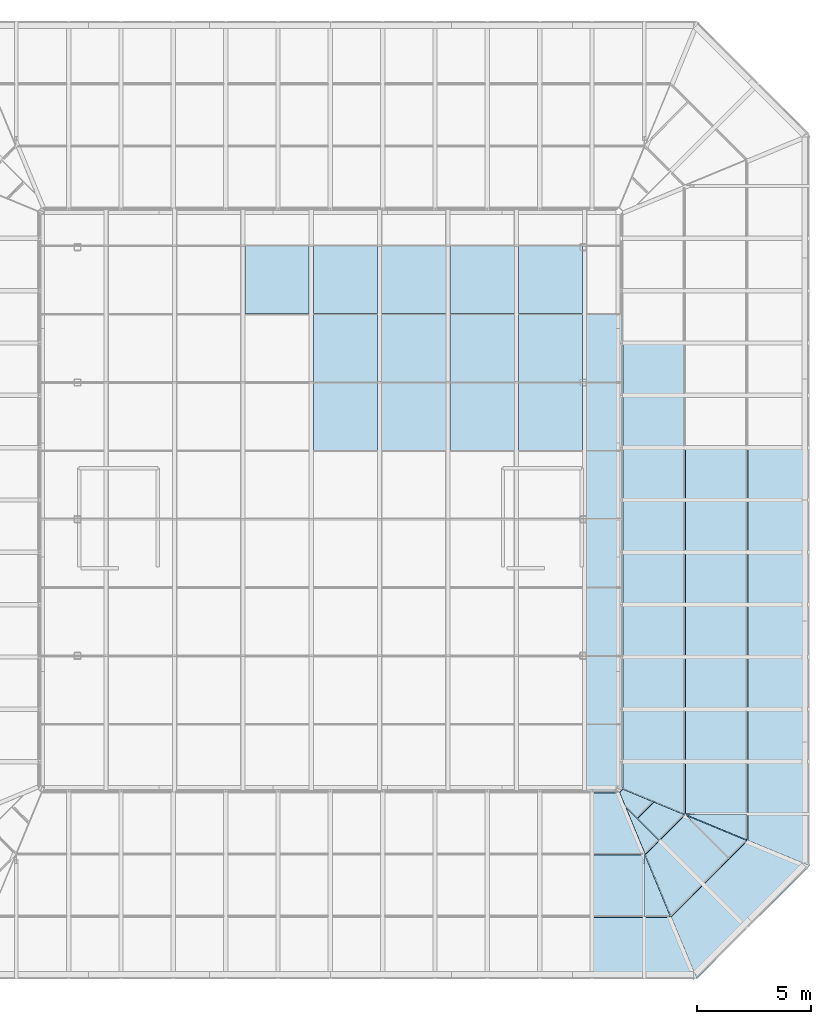
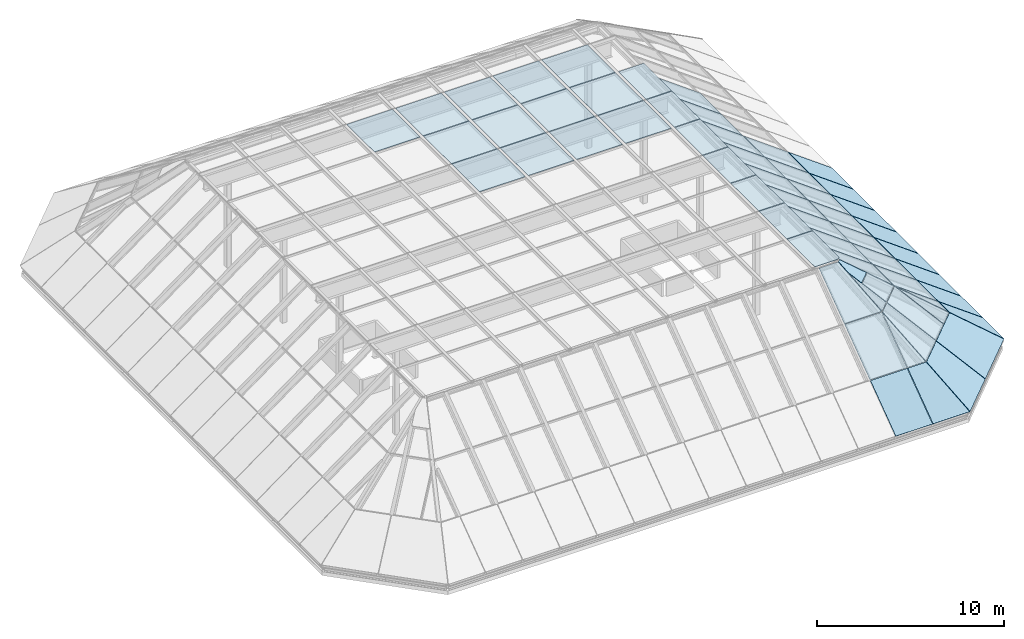
# One storey, part 13 of 15: 58 plates, 4 elements without a shape of their own.
"""IFC4 building model written with IfcOpenShell, lengths in metres."""

import ifcopenshell
import ifcopenshell.guid

model = None  # the IFC model being written
_history = None  # IfcOwnerHistory: only IFC2X3 demands one
_inside = {}  # id of a spatial element -> (the spatial element, [elements in it])
_under = {}  # id of a project, library or spatial element -> (it, [spatial elements below it])
_declared = {}  # id of a project -> (the project, [libraries it declares])
_typed = {}  # id of a type object -> (the type object, [elements of that type])
_made_of = {}  # id of a material, layer set ... -> (it, [elements and type objects made of it])


def new_model(schema):
    """Start an empty IFC model of exactly this schema.

    Asked for "IFC4X3", IfcOpenShell would pick the latest addendum, in which some entities
    have other attributes; the version numbers below select the first issue.
    IFC2X3 requires an IfcOwnerHistory on every rooted entity: one is made here for all.
    """
    global model, _history
    if schema == "IFC4X3":
        model = ifcopenshell.file(schema_version=(4, 3, 0, 0))
    else:
        model = ifcopenshell.file(schema=schema)
    _inside.clear()
    _under.clear()
    _declared.clear()
    _typed.clear()
    _made_of.clear()
    _history = None
    if model.schema == "IFC2X3":
        org = make("IfcOrganization", Name="unknown")
        user = make(
            "IfcPersonAndOrganization",
            ThePerson=make("IfcPerson", FamilyName="unknown"),
            TheOrganization=org,
        )
        app = make(
            "IfcApplication",
            ApplicationDeveloper=org,
            Version="unknown",
            ApplicationFullName="unknown",
            ApplicationIdentifier="unknown",
        )
        _history = make(
            "IfcOwnerHistory",
            OwningUser=user,
            OwningApplication=app,
            ChangeAction="ADDED",
            CreationDate=0,
        )
    return model


def make(cls, **values):
    """One entity of the class cls with the attributes given. An attribute that is None is left unset."""
    return model.create_entity(
        cls, **{name: value for name, value in values.items() if value is not None}
    )


def rooted(cls, **values):
    """An entity with a GlobalId (a new one), such as an element, a storey or a relation."""
    return make(cls, GlobalId=ifcopenshell.guid.new(), OwnerHistory=_history, **values)


def si_unit(unit_type, name, prefix=None):
    """IfcSIUnit, for example si_unit("LENGTHUNIT", "METRE", prefix="MILLI")."""
    return make("IfcSIUnit", UnitType=unit_type, Prefix=prefix, Name=name)


def assignment(units):
    """IfcUnitAssignment: the units of a project."""
    return None if units is None else make("IfcUnitAssignment", Units=units)


def point(xyz):
    """IfcCartesianPoint."""
    return None if xyz is None else make("IfcCartesianPoint", Coordinates=xyz)


def direction(xyz):
    """IfcDirection."""
    return None if xyz is None else make("IfcDirection", DirectionRatios=xyz)


def frame(location, z_axis=None, x_axis=None):
    """IfcAxis2Placement3D, a coordinate frame: its origin and axes. An axis left out is left unset."""
    return make(
        "IfcAxis2Placement3D",
        Location=point(location),
        Axis=direction(z_axis),
        RefDirection=direction(x_axis),
    )


def origin():
    """The frame at (0, 0, 0) with its axes left unset."""
    return frame((0.0, 0.0, 0.0))


def place(relative_to, where):
    """IfcLocalPlacement: puts the frame where relative to a parent placement (None: the world)."""
    return make(
        "IfcLocalPlacement", PlacementRelTo=relative_to, RelativePlacement=where
    )


def context(
    kind, dimensions, precision=None, world=None, true_north=None, identifier=None
):
    """IfcGeometricRepresentationContext, for example the 3D "Model" context."""
    return make(
        "IfcGeometricRepresentationContext",
        ContextIdentifier=identifier,
        ContextType=kind,
        CoordinateSpaceDimension=dimensions,
        Precision=precision,
        WorldCoordinateSystem=world,
        TrueNorth=true_north,
    )


def subcontext(parent, identifier, kind, view, scale=None):
    """IfcGeometricRepresentationSubContext, for example "Body" below "Model"."""
    return make(
        "IfcGeometricRepresentationSubContext",
        ContextIdentifier=identifier,
        ContextType=kind,
        ParentContext=parent,
        TargetScale=scale,
        TargetView=view,
    )


def project(units=None, contexts=None):
    """IfcProject with its units and contexts."""
    return rooted(
        "IfcProject",
        Name="project",
        RepresentationContexts=contexts,
        UnitsInContext=assignment(units),
    )


def spatial(cls, under=None, at=None, **own):
    """A site, building, storey or space (cls), placed at a placement, below another one or the project."""
    s = rooted(cls, ObjectPlacement=at, **own)
    if under is not None:
        _under.setdefault(under.id(), (under, []))[1].append(s)
    return s


def polyline(points):
    """IfcPolyline through the points."""
    return make("IfcPolyline", Points=[point(p) for p in points])


def outline(outer, holes=None, kind="AREA"):
    """IfcArbitraryClosedProfileDef: a profile drawn as a closed curve; with holes, ...WithVoids."""
    if holes is None:
        return make("IfcArbitraryClosedProfileDef", ProfileType=kind, OuterCurve=outer)
    return make(
        "IfcArbitraryProfileDefWithVoids",
        ProfileType=kind,
        OuterCurve=outer,
        InnerCurves=holes,
    )


def extrude(swept, where, along, depth):
    """IfcExtrudedAreaSolid: the profile swept, set in the frame where, extruded along a direction by depth."""
    return make(
        "IfcExtrudedAreaSolid",
        SweptArea=swept,
        Position=where,
        ExtrudedDirection=direction(along),
        Depth=depth,
    )


def shape(context_of_items, identifier, shape_type, items):
    """IfcShapeRepresentation: the items that make up one representation, for example the "Body"."""
    return make(
        "IfcShapeRepresentation",
        ContextOfItems=context_of_items,
        RepresentationIdentifier=identifier,
        RepresentationType=shape_type,
        Items=items,
    )


def material(Name=None, Category=None):
    """IfcMaterial."""
    return make("IfcMaterial", Name=Name, Category=Category)


def layer(
    of_material, thickness, ventilated=None, Name=None, Category=None, Priority=None
):
    """IfcMaterialLayer: one layer of a wall or slab, of a material (None: an air gap)."""
    return make(
        "IfcMaterialLayer",
        Material=of_material,
        LayerThickness=thickness,
        IsVentilated=ventilated,
        Name=Name,
        Category=Category,
        Priority=Priority,
    )


def layer_set(layers, Name=None):
    """IfcMaterialLayerSet."""
    return make("IfcMaterialLayerSet", MaterialLayers=layers, LayerSetName=Name)


def constituent(of_material, Name=None, Category=None, fraction=None):
    """IfcMaterialConstituent: one of the materials an element consists of."""
    return make(
        "IfcMaterialConstituent",
        Name=Name,
        Material=of_material,
        Fraction=fraction,
        Category=Category,
    )


def constituent_set(constituents=None, Name=None):
    """IfcMaterialConstituentSet."""
    return make(
        "IfcMaterialConstituentSet", Name=Name, MaterialConstituents=constituents
    )


def made_of(thing, what):
    """Note that an element or type object is made of a material, layer set ...; save() writes the relation."""
    if what is not None:
        _made_of.setdefault(what.id(), (what, []))[1].append(thing)
    return thing


def type_object(cls, material=None, **own):
    """A type object (cls), such as IfcWallType, which elements share."""
    return made_of(rooted(cls, **own), material)


def element(
    cls,
    number,
    at=None,
    inside=None,
    cuts=None,
    type_object=None,
    material=None,
    context=None,
    identifier="Body",
    shape_type=None,
    held_by="IfcProductDefinitionShape",
    body=None,
    shapes=None,
    **own,
):
    """One element of the class cls, such as IfcWall. Its Tag is "e" and its number.

    at: its placement. inside: the storey or other place that contains it. cuts: it is an
    opening in that element (IfcRelVoidsElement). A single representation is given by context,
    identifier, shape_type and body (its items); several are given by shapes. held_by: the class
    of the entity that holds the representations. save() writes the other relations.
    """
    e = rooted(cls, Tag="e%d" % number, ObjectPlacement=at, **own)
    if body is not None:
        shapes = [shape(context, identifier, shape_type, body)]
    if shapes is not None:
        e.Representation = make(held_by, Representations=shapes)
    if inside is not None:
        _inside.setdefault(inside.id(), (inside, []))[1].append(e)
    if cuts is not None:
        rooted(
            "IfcRelVoidsElement", RelatingBuildingElement=cuts, RelatedOpeningElement=e
        )
    if type_object is not None:
        _typed.setdefault(type_object.id(), (type_object, []))[1].append(e)
    return made_of(e, material)


def aggregate(whole, parts):
    """IfcRelAggregates: a whole, such as a stair, and the parts it consists of."""
    return rooted("IfcRelAggregates", RelatingObject=whole, RelatedObjects=parts)


def save(model, path):
    """Write the relations noted so far, then the file.

    IfcRelAggregates (storeys below a building ...), IfcRelContainedInSpatialStructure (elements
    in a storey), IfcRelDefinesByType, IfcRelAssociatesMaterial and IfcRelDeclares: one each for
    every whole, place, type object, material and project.
    """
    for whole, parts in _under.values():
        aggregate(whole, parts)
    for where, things in _inside.values():
        rooted(
            "IfcRelContainedInSpatialStructure",
            RelatedElements=things,
            RelatingStructure=where,
        )
    for kind, things in _typed.values():
        rooted("IfcRelDefinesByType", RelatedObjects=things, RelatingType=kind)
    for what, things in _made_of.values():
        rooted("IfcRelAssociatesMaterial", RelatedObjects=things, RelatingMaterial=what)
    for by, libraries in _declared.values():
        rooted("IfcRelDeclares", RelatingContext=by, RelatedDefinitions=libraries)
    model.write(path)


model = new_model("IFC4")

# Units and contexts
model_context = context("Model", 3, precision=1e-05, world=origin(), true_north=direction((0.0, 1.0)))
body_context = subcontext(model_context, "Body", "Model", "MODEL_VIEW")
ifc_project = project(units=[si_unit("LENGTHUNIT", "METRE"), si_unit("AREAUNIT", "SQUARE_METRE"), si_unit("VOLUMEUNIT", "CUBIC_METRE"), si_unit("PLANEANGLEUNIT", "RADIAN"), si_unit("MASSUNIT", "GRAM", prefix="KILO")], contexts=[model_context])

# Site, building, storey
site_placement = place(None, origin())
site = spatial("IfcSite", under=ifc_project, at=site_placement, CompositionType="ELEMENT")
building_placement = place(site_placement, origin())
building = spatial("IfcBuilding", under=site, at=building_placement, Name="Quoin Convention Tower", CompositionType="ELEMENT")
storey_placement = place(building_placement, frame((0.0, 0.0, 273.699951171875)))
storey = spatial("IfcBuildingStorey", under=building, at=storey_placement, Name="Roof", CompositionType="ELEMENT", Elevation=273.699951171875)

# Curtain wall, plates
ifc_material_1 = material(Name="Aluminium", Category="aluminium")
ifc_constituent_1 = constituent(ifc_material_1, Name="Frame")
ifc_material_2 = material(Name="Insulated glass", Category="glass")
ifc_constituent_2 = constituent(ifc_material_2, Name="Glazing")
ifc_constituent_set = constituent_set(constituents=[ifc_constituent_1, ifc_constituent_2], Name="Aluminium")
curtain_wall_type = type_object("IfcCurtainWallType", Name="Lantern roof system", PredefinedType="NOTDEFINED", material=ifc_constituent_set)
curtain_wall_1_placement = place(storey_placement, origin())
curtain_wall_1 = element("IfcCurtainWall", 1, at=curtain_wall_1_placement, inside=storey, type_object=curtain_wall_type, Name="crn-LNR-F72327_39710", PredefinedType="NOTDEFINED")
ifc_layer = layer(ifc_material_2, 0.028076171875)
ifc_layer_set = layer_set([ifc_layer], Name="Insulated glass")
plate_type = type_object("IfcPlateType", Name="Lantern roof glazing unit 28", PredefinedType="CURTAIN_PANEL", material=ifc_layer_set)
plate_1_placement = place(storey_placement, frame((72.619873046875, 43.85107421875, 2.466552734375), z_axis=(0.417537444623, -0.417537444623, 0.807047064721), x_axis=(0.570632086924, -0.570704815969, -0.590487116204)))
plate_1 = element("IfcPlate", 2, at=plate_1_placement, type_object=plate_type, Name="CW6 glazing unit", PredefinedType="CURTAIN_PANEL", context=body_context, shape_type="SweptSolid", body=[
    extrude(outline(polyline([(0.0, 0.0), (3.356851792327199, -5.2753211954997825e-17), (3.357011934723851, -3.1139629155703807), (0.00010245278065001973, -1.9921904892827473), (0.0, 0.0)])), origin(), (0.0, 0.0, -1.0), 0.028076171875),
])
plate_2_placement = place(storey_placement, frame((72.64111328125, 43.872314453125, 2.466552734375), z_axis=(0.417537444623, -0.417537444623, 0.807047064721), x_axis=(0.707106781187, 0.707106781187, 0.0)))
plate_2 = element("IfcPlate", 3, at=plate_2_placement, type_object=plate_type, Name="CW6 glazing unit", PredefinedType="CURTAIN_PANEL", context=body_context, shape_type="SweptSolid", body=[
    extrude(outline(polyline([(0.0, 0.0), (2.710345816559765, 0.0), (3.832290877822307, -3.356851787888171), (-0.0001726334915006511, -3.356851787888171), (0.0, 0.0)])), origin(), (0.0, 0.0, -1.0), 0.028076171875),
])
plate_3_placement = place(storey_placement, frame((70.68701171875, 45.78369140625, 4.466552734375), z_axis=(0.417537444623, -0.417537444623, 0.807047064721), x_axis=(0.570704815969, -0.570632086924, -0.590487116204)))
plate_3 = element("IfcPlate", 4, at=plate_3_placement, type_object=plate_type, Name="CW6 glazing unit", PredefinedType="CURTAIN_PANEL", context=body_context, shape_type="SweptSolid", body=[
    extrude(outline(polyline([(0.0, 0.0), (3.356851792327199, -1.6929139297003348e-16), (3.356749854473869, -1.9821777467889525), (-4.42127250985247e-05, -0.8597147865362291), (0.0, 0.0)])), origin(), (0.0, 0.0, -1.0), 0.028076171875),
])
plate_4_placement = place(storey_placement, frame((73.73681640625, 45.002197265625, 2.484375), z_axis=(0.417523210774, -0.417569006893, 0.80703809882), x_axis=(-0.707170814424, -0.707042741667, 2.6136976e-05)))
plate_4 = element("IfcPlate", 5, at=plate_4_placement, type_object=plate_type, Name="CW6 glazing unit", PredefinedType="CURTAIN_PANEL", context=body_context, shape_type="SweptSolid", body=[
    extrude(outline(polyline([(0.0, 0.0), (1.5738995506534303, -1.1102230246251565e-16), (1.5741966856522538, -3.3567124525452634), (0.00012451714197131268, -3.356851789630812), (0.0, 0.0)])), origin(), (0.0, 0.0, -1.0), 0.028076171875),
])
plate_5_placement = place(storey_placement, frame((74.533447265625, 45.798828125, 2.484375), z_axis=(0.417563792954, -0.417563792954, 0.807019800022), x_axis=(-0.707106781187, -0.707106781187, 0.0)))
plate_5 = element("IfcPlate", 6, at=plate_5_placement, type_object=plate_type, Name="CW6 glazing unit", PredefinedType="CURTAIN_PANEL", context=body_context, shape_type="SweptSolid", body=[
    extrude(outline(polyline([(0.0, 0.0), (1.0965679380119506, 0.0), (1.0965679380119506, -3.279741948853893), (0.0, 0.0)])), origin(), (0.0, 0.0, -1.0), 0.028076171875),
])
plate_6_placement = place(storey_placement, frame((70.669921875, 45.80078125, 4.484375), z_axis=(0.417542917757, -0.417542917757, 0.807041401455), x_axis=(-0.707106781187, -0.707106781187, 0.0)))
plate_6 = element("IfcPlate", 7, at=plate_6_placement, type_object=plate_type, Name="CW6 glazing unit", PredefinedType="CURTAIN_PANEL", context=body_context, shape_type="SweptSolid", body=[
    extrude(outline(polyline([(0.0, 0.0), (0.8497020451660613, 0.0), (-0.0001726334915006511, -2.542309530573094), (0.0, 0.0)])), origin(), (0.0, 0.0, -1.0), 0.028076171875),
])
plate_7_placement = place(storey_placement, frame((71.800048828125, 46.930908203125, 4.484375), z_axis=(0.417542378551, -0.417486512565, 0.807070860544), x_axis=(-0.707090287471, -0.707123273799, 3.1881896e-05)))
plate_7 = element("IfcPlate", 8, at=plate_7_placement, type_object=plate_type, Name="CW6 glazing unit", PredefinedType="CURTAIN_PANEL", context=body_context, shape_type="SweptSolid", body=[
    extrude(outline(polyline([(0.0, 0.0), (1.5682026355680565, 0.0), (1.5682026380152434, -1.6633416873172657), (0.5560524741101777, -1.6634810147779184), (0.0, 0.0)])), origin(), (0.0, 0.0, -1.0), 0.028076171875),
])
plate_8_placement = place(storey_placement, frame((70.433349609375, 47.4970703125, 5.484375), z_axis=(0.417578956169, -0.417448451267, 0.807071623773), x_axis=(-0.706988900109, -0.707224642574, -7.613711e-06)))
plate_8 = element("IfcPlate", 9, at=plate_8_placement, type_object=plate_type, Name="CW6 glazing unit", PredefinedType="CURTAIN_PANEL", context=body_context, shape_type="SweptSolid", body=[
    extrude(outline(polyline([(0.0, 0.0), (1.0021374329858963, 5.551115123125783e-17), (1.0020069393110802, -0.9385983617875202), (0.7593561028419844, -1.663447276913725), (0.5559938526855857, -1.6634190033734484), (0.0, 0.0)])), origin(), (0.0, 0.0, -1.0), 0.028076171875),
])
aggregate(curtain_wall_1, [plate_1, plate_2, plate_3, plate_4, plate_5, plate_6, plate_7, plate_8])

curtain_wall_2_placement = place(storey_placement, origin())
curtain_wall_2 = element("IfcCurtainWall", 10, at=curtain_wall_2_placement, inside=storey, type_object=curtain_wall_type, Name="crn-LNR-F77290_44673", PredefinedType="NOTDEFINED")
plate_9_placement = place(storey_placement, frame((74.56884765625, 46.95458984375, 2.466552734375), z_axis=(0.590508839017, 0.0, 0.807031171048), x_axis=(0.807031171048, 0.0, -0.590508839017)))
plate_9 = element("IfcPlate", 11, at=plate_9_placement, type_object=plate_type, Name="CW6 glazing unit", PredefinedType="CURTAIN_PANEL", context=body_context, shape_type="SweptSolid", body=[
    extrude(outline(polyline([(0.0, 0.0), (3.3567283051575907, 0.0), (3.3567283051575907, -2.260986328125), (0.0, -1.138671875), (0.0, 0.0)])), origin(), (0.0, 0.0, -1.0), 0.028076171875),
])
plate_10_placement = place(storey_placement, frame((74.56884765625, 46.984619140625, 2.466552734375), z_axis=(0.590508839017, 0.0, 0.807031171048), x_axis=(0.0, 1.0, 0.0)))
plate_10 = element("IfcPlate", 12, at=plate_10_placement, type_object=plate_type, Name="CW6 glazing unit", PredefinedType="CURTAIN_PANEL", context=body_context, shape_type="SweptSolid", body=[
    extrude(outline(polyline([(0.0, 0.0), (2.2666015625, 0.0), (2.2666015625, -3.3567283051575902), (0.0, -3.3567283051575902), (0.0, 0.0)])), origin(), (0.0, 0.0, -1.0), 0.028076171875),
])
plate_11_placement = place(storey_placement, frame((74.56884765625, 49.28125, 2.466552734375), z_axis=(0.590508839017, 0.0, 0.807031171048), x_axis=(0.0, 1.0, 0.0)))
plate_11 = element("IfcPlate", 13, at=plate_11_placement, type_object=plate_type, Name="CW6 glazing unit", PredefinedType="CURTAIN_PANEL", context=body_context, shape_type="SweptSolid", body=[
    extrude(outline(polyline([(0.0, 0.0), (2.266845703125, 0.0), (2.266845703125, -3.3567283051575907), (0.0, -3.3567283051575907), (0.0, 0.0)])), origin(), (0.0, 0.0, -1.0), 0.028076171875),
])
plate_12_placement = place(storey_placement, frame((74.56884765625, 51.577880859375, 2.466552734375), z_axis=(0.590508839017, 0.0, 0.807031171048), x_axis=(0.0, 1.0, 0.0)))
plate_12 = element("IfcPlate", 14, at=plate_12_placement, type_object=plate_type, Name="CW6 glazing unit", PredefinedType="CURTAIN_PANEL", context=body_context, shape_type="SweptSolid", body=[
    extrude(outline(polyline([(0.0, 0.0), (2.266845703125, 0.0), (2.266845703125, -3.3567283051575907), (0.0, -3.3567283051575907), (0.0, 0.0)])), origin(), (0.0, 0.0, -1.0), 0.028076171875),
])
plate_13_placement = place(storey_placement, frame((74.56884765625, 53.874755859375, 2.466552734375), z_axis=(0.590508839017, 0.0, 0.807031171048), x_axis=(0.0, 1.0, 0.0)))
plate_13 = element("IfcPlate", 15, at=plate_13_placement, type_object=plate_type, Name="CW6 glazing unit", PredefinedType="CURTAIN_PANEL", context=body_context, shape_type="SweptSolid", body=[
    extrude(outline(polyline([(0.0, 0.0), (2.266845703125, 0.0), (2.266845703125, -3.3567283051575907), (0.0, -3.3567283051575907), (0.0, 0.0)])), origin(), (0.0, 0.0, -1.0), 0.028076171875),
])
plate_14_placement = place(storey_placement, frame((74.56884765625, 56.17138671875, 2.466552734375), z_axis=(0.590508839017, 0.0, 0.807031171048), x_axis=(0.0, 1.0, 0.0)))
plate_14 = element("IfcPlate", 16, at=plate_14_placement, type_object=plate_type, Name="CW6 glazing unit", PredefinedType="CURTAIN_PANEL", context=body_context, shape_type="SweptSolid", body=[
    extrude(outline(polyline([(0.0, 0.0), (2.266845703125, 0.0), (2.266845703125, -3.3567283051575907), (0.0, -3.3567283051575907), (0.0, 0.0)])), origin(), (0.0, 0.0, -1.0), 0.028076171875),
])
plate_15_placement = place(storey_placement, frame((74.56884765625, 58.46826171875, 2.466552734375), z_axis=(0.590508839017, 0.0, 0.807031171048), x_axis=(0.0, 1.0, 0.0)))
plate_15 = element("IfcPlate", 17, at=plate_15_placement, type_object=plate_type, Name="CW6 glazing unit", PredefinedType="CURTAIN_PANEL", context=body_context, shape_type="SweptSolid", body=[
    extrude(outline(polyline([(0.0, 0.0), (2.266845703125, 0.0), (2.266845703125, -3.3567283051575907), (0.0, -3.3567283051575907), (0.0, 0.0)])), origin(), (0.0, 0.0, -1.0), 0.028076171875),
])
plate_16_placement = place(storey_placement, frame((74.56884765625, 60.764892578125, 2.466552734375), z_axis=(0.590508839017, 0.0, 0.807031171048), x_axis=(0.0, 1.0, 0.0)))
plate_16 = element("IfcPlate", 18, at=plate_16_placement, type_object=plate_type, Name="CW6 glazing unit", PredefinedType="CURTAIN_PANEL", context=body_context, shape_type="SweptSolid", body=[
    extrude(outline(polyline([(0.0, 0.0), (2.266845703125, 0.0), (2.266845703125, -3.3567283051575907), (0.0, -3.3567283051575907), (0.0, 0.0)])), origin(), (0.0, 0.0, -1.0), 0.028076171875),
])
plate_17_placement = place(storey_placement, frame((71.83544921875, 46.95458984375, 4.466552734375), z_axis=(0.590474179548, 0.0, 0.807056530416), x_axis=(0.807056530416, 0.0, -0.590474179548)))
plate_17 = element("IfcPlate", 19, at=plate_17_placement, type_object=plate_type, Name="CW6 glazing unit", PredefinedType="CURTAIN_PANEL", context=body_context, shape_type="SweptSolid", body=[
    extrude(outline(polyline([(0.0, 0.0), (3.356925337347801, 0.0), (3.356925337347801, -1.12890625), (0.0, -0.006591796875), (0.0, 0.0)])), origin(), (0.0, 0.0, -1.0), 0.028076171875),
])
plate_18_placement = place(storey_placement, frame((74.544677734375, 46.984619140625, 2.484375), z_axis=(0.590474179548, 0.0, 0.807056530416), x_axis=(-0.807056530416, 0.0, 0.590474179548)))
plate_18 = element("IfcPlate", 20, at=plate_18_placement, type_object=plate_type, Name="CW6 glazing unit", PredefinedType="CURTAIN_PANEL", context=body_context, shape_type="SweptSolid", body=[
    extrude(outline(polyline([(0.0, 0.0), (3.356925337347801, 0.0), (3.356925337347801, -2.2666015625), (0.0, -2.2666015625), (0.0, 0.0)])), origin(), (0.0, 0.0, -1.0), 0.028076171875),
])
plate_19_placement = place(storey_placement, frame((74.544677734375, 49.28125, 2.484375), z_axis=(0.590474179548, 0.0, 0.807056530416), x_axis=(-0.807056530416, 0.0, 0.590474179548)))
plate_19 = element("IfcPlate", 21, at=plate_19_placement, type_object=plate_type, Name="CW6 glazing unit", PredefinedType="CURTAIN_PANEL", context=body_context, shape_type="SweptSolid", body=[
    extrude(outline(polyline([(0.0, 0.0), (3.356925337347801, 0.0), (3.356925337347801, -2.266845703125), (0.0, -2.266845703125), (0.0, 0.0)])), origin(), (0.0, 0.0, -1.0), 0.028076171875),
])
plate_20_placement = place(storey_placement, frame((74.544677734375, 51.577880859375, 2.484375), z_axis=(0.590474179548, 0.0, 0.807056530416), x_axis=(-0.807056530416, 0.0, 0.590474179548)))
plate_20 = element("IfcPlate", 22, at=plate_20_placement, type_object=plate_type, Name="CW6 glazing unit", PredefinedType="CURTAIN_PANEL", context=body_context, shape_type="SweptSolid", body=[
    extrude(outline(polyline([(0.0, 0.0), (3.356925337347801, 0.0), (3.356925337347801, -2.266845703125), (0.0, -2.266845703125), (0.0, 0.0)])), origin(), (0.0, 0.0, -1.0), 0.028076171875),
])
plate_21_placement = place(storey_placement, frame((74.544677734375, 53.874755859375, 2.484375), z_axis=(0.590474179548, 0.0, 0.807056530416), x_axis=(-0.807056530416, 0.0, 0.590474179548)))
plate_21 = element("IfcPlate", 23, at=plate_21_placement, type_object=plate_type, Name="CW6 glazing unit", PredefinedType="CURTAIN_PANEL", context=body_context, shape_type="SweptSolid", body=[
    extrude(outline(polyline([(0.0, 0.0), (3.356925337347801, 0.0), (3.356925337347801, -2.266845703125), (0.0, -2.266845703125), (0.0, 0.0)])), origin(), (0.0, 0.0, -1.0), 0.028076171875),
])
plate_22_placement = place(storey_placement, frame((74.544677734375, 56.17138671875, 2.484375), z_axis=(0.590474179548, 0.0, 0.807056530416), x_axis=(-0.807056530416, 0.0, 0.590474179548)))
plate_22 = element("IfcPlate", 24, at=plate_22_placement, type_object=plate_type, Name="CW6 glazing unit", PredefinedType="CURTAIN_PANEL", context=body_context, shape_type="SweptSolid", body=[
    extrude(outline(polyline([(0.0, 0.0), (3.356925337347801, 0.0), (3.356925337347801, -2.266845703125), (0.0, -2.266845703125), (0.0, 0.0)])), origin(), (0.0, 0.0, -1.0), 0.028076171875),
])
plate_23_placement = place(storey_placement, frame((74.544677734375, 58.46826171875, 2.484375), z_axis=(0.590474179548, 0.0, 0.807056530416), x_axis=(-0.807056530416, 0.0, 0.590474179548)))
plate_23 = element("IfcPlate", 25, at=plate_23_placement, type_object=plate_type, Name="CW6 glazing unit", PredefinedType="CURTAIN_PANEL", context=body_context, shape_type="SweptSolid", body=[
    extrude(outline(polyline([(0.0, 0.0), (3.356925337347801, 0.0), (3.356925337347801, -2.266845703125), (0.0, -2.266845703125), (0.0, 0.0)])), origin(), (0.0, 0.0, -1.0), 0.028076171875),
])
plate_24_placement = place(storey_placement, frame((74.544677734375, 60.764892578125, 2.484375), z_axis=(0.590474179548, 0.0, 0.807056530416), x_axis=(-0.807056530416, 0.0, 0.590474179548)))
plate_24 = element("IfcPlate", 26, at=plate_24_placement, type_object=plate_type, Name="CW6 glazing unit", PredefinedType="CURTAIN_PANEL", context=body_context, shape_type="SweptSolid", body=[
    extrude(outline(polyline([(0.0, 0.0), (3.356925337347801, 0.0), (3.356925337347801, -2.266845703125), (0.0, -2.266845703125), (0.0, 0.0)])), origin(), (0.0, 0.0, -1.0), 0.028076171875),
])
plate_25_placement = place(storey_placement, frame((71.811279296875, 49.251220703125, 4.484375), z_axis=(0.590467870456, -2.3954968e-05, 0.807061146002), x_axis=(-1.4144639e-05, -0.999999999713, -1.9333124e-05)))
plate_25 = element("IfcPlate", 27, at=plate_25_placement, type_object=plate_type, Name="CW6 glazing unit", PredefinedType="CURTAIN_PANEL", context=body_context, shape_type="SweptSolid", body=[
    extrude(outline(polyline([(0.0, 0.0), (2.266601561849666, 0.0), (2.2666015638223826, -0.07949875796371716), (1.1711425771603567, -3.356925337245233), (-6.286186970944465e-10, -3.356925337245233), (0.0, 0.0)])), origin(), (0.0, 0.0, -1.0), 0.028076171875),
])
plate_26_placement = place(storey_placement, frame((71.811279296875, 51.548095703125, 4.484375), z_axis=(0.590474179548, 0.0, 0.807056530416), x_axis=(0.0, -1.0, 0.0)))
plate_26 = element("IfcPlate", 28, at=plate_26_placement, type_object=plate_type, Name="CW6 glazing unit", PredefinedType="CURTAIN_PANEL", context=body_context, shape_type="SweptSolid", body=[
    extrude(outline(polyline([(0.0, 0.0), (2.266845703125, 0.0), (2.266845703125, -3.356925337347801), (0.0, -3.356925337347801), (0.0, 0.0)])), origin(), (0.0, 0.0, -1.0), 0.028076171875),
])
plate_27_placement = place(storey_placement, frame((71.811279296875, 53.8447265625, 4.484375), z_axis=(0.590474179548, 0.0, 0.807056530416), x_axis=(0.0, -1.0, 0.0)))
plate_27 = element("IfcPlate", 29, at=plate_27_placement, type_object=plate_type, Name="CW6 glazing unit", PredefinedType="CURTAIN_PANEL", context=body_context, shape_type="SweptSolid", body=[
    extrude(outline(polyline([(0.0, 0.0), (2.266845703125, 0.0), (2.266845703125, -3.356925337347801), (0.0, -3.356925337347801), (0.0, 0.0)])), origin(), (0.0, 0.0, -1.0), 0.028076171875),
])
plate_28_placement = place(storey_placement, frame((71.811279296875, 56.1416015625, 4.484375), z_axis=(0.590474179548, 0.0, 0.807056530416), x_axis=(0.0, -1.0, 0.0)))
plate_28 = element("IfcPlate", 30, at=plate_28_placement, type_object=plate_type, Name="CW6 glazing unit", PredefinedType="CURTAIN_PANEL", context=body_context, shape_type="SweptSolid", body=[
    extrude(outline(polyline([(0.0, 0.0), (2.266845703125, 0.0), (2.266845703125, -3.356925337347801), (0.0, -3.356925337347801), (0.0, 0.0)])), origin(), (0.0, 0.0, -1.0), 0.028076171875),
])
plate_29_placement = place(storey_placement, frame((71.811279296875, 58.438232421875, 4.484375), z_axis=(0.590474179548, 0.0, 0.807056530416), x_axis=(0.0, -1.0, 0.0)))
plate_29 = element("IfcPlate", 31, at=plate_29_placement, type_object=plate_type, Name="CW6 glazing unit", PredefinedType="CURTAIN_PANEL", context=body_context, shape_type="SweptSolid", body=[
    extrude(outline(polyline([(0.0, 0.0), (2.266845703125, 0.0), (2.266845703125, -3.356925337347801), (0.0, -3.356925337347801), (0.0, 0.0)])), origin(), (0.0, 0.0, -1.0), 0.028076171875),
])
plate_30_placement = place(storey_placement, frame((71.811279296875, 60.735107421875, 4.484375), z_axis=(0.590474179548, 0.0, 0.807056530416), x_axis=(0.0, -1.0, 0.0)))
plate_30 = element("IfcPlate", 32, at=plate_30_placement, type_object=plate_type, Name="CW6 glazing unit", PredefinedType="CURTAIN_PANEL", context=body_context, shape_type="SweptSolid", body=[
    extrude(outline(polyline([(0.0, 0.0), (2.266845703125, 0.0), (2.266845703125, -3.356925337347801), (0.0, -3.356925337347801), (0.0, 0.0)])), origin(), (0.0, 0.0, -1.0), 0.028076171875),
])
plate_31_placement = place(storey_placement, frame((71.811279296875, 63.03173828125, 4.484375), z_axis=(0.590474179548, 0.0, 0.807056530416), x_axis=(0.0, -1.0, 0.0)))
plate_31 = element("IfcPlate", 33, at=plate_31_placement, type_object=plate_type, Name="CW6 glazing unit", PredefinedType="CURTAIN_PANEL", context=body_context, shape_type="SweptSolid", body=[
    extrude(outline(polyline([(0.0, 0.0), (2.266845703125, 0.0), (2.266845703125, -3.356925337347801), (0.0, -3.356925337347801), (0.0, 0.0)])), origin(), (0.0, 0.0, -1.0), 0.028076171875),
])
plate_32_placement = place(storey_placement, frame((71.811279296875, 65.32861328125, 4.484375), z_axis=(0.590474179548, 0.0, 0.807056530416), x_axis=(0.0, -1.0, 0.0)))
plate_32 = element("IfcPlate", 34, at=plate_32_placement, type_object=plate_type, Name="CW6 glazing unit", PredefinedType="CURTAIN_PANEL", context=body_context, shape_type="SweptSolid", body=[
    extrude(outline(polyline([(0.0, 0.0), (2.266845703125, 0.0), (2.266845703125, -3.356925337347801), (0.0, -3.356925337347801), (0.0, 0.0)])), origin(), (0.0, 0.0, -1.0), 0.028076171875),
])
plate_33_placement = place(storey_placement, frame((71.811279296875, 67.625244140625, 4.484375), z_axis=(0.590474179548, 0.0, 0.807056530416), x_axis=(0.0, -1.0, 0.0)))
plate_33 = element("IfcPlate", 35, at=plate_33_placement, type_object=plate_type, Name="CW6 glazing unit", PredefinedType="CURTAIN_PANEL", context=body_context, shape_type="SweptSolid", body=[
    extrude(outline(polyline([(0.0, 0.0), (2.266845703125, 0.0), (2.266845703125, -3.356925337347801), (0.0, -3.356925337347801), (0.0, 0.0)])), origin(), (0.0, 0.0, -1.0), 0.028076171875),
])
aggregate(curtain_wall_2, [plate_9, plate_10, plate_11, plate_12, plate_13, plate_14, plate_15, plate_16, plate_17, plate_18, plate_19, plate_20, plate_21, plate_22, plate_23, plate_24, plate_25, plate_26, plate_27, plate_28, plate_29, plate_30, plate_31, plate_32, plate_33])

curtain_wall_3_placement = place(storey_placement, origin())
curtain_wall_3 = element("IfcCurtainWall", 36, at=curtain_wall_3_placement, inside=storey, type_object=curtain_wall_type, Name="crn-LNR-F40173_39710", PredefinedType="NOTDEFINED")
plate_34_placement = place(storey_placement, frame((67.748779296875, 42.43115234375, 2.466552734375), z_axis=(0.0, -0.590508839017, 0.807031171048), x_axis=(1.0, 0.0, 0.0)))
plate_34 = element("IfcPlate", 37, at=plate_34_placement, type_object=plate_type, Name="CW6 glazing unit", PredefinedType="CURTAIN_PANEL", context=body_context, shape_type="SweptSolid", body=[
    extrude(outline(polyline([(0.0, 0.0), (2.2666015625, 0.0), (2.2666015625, -3.3567283051575902), (0.0, -3.3567283051575902), (0.0, 0.0)])), origin(), (0.0, 0.0, -1.0), 0.028076171875),
])
plate_35_placement = place(storey_placement, frame((70.04541015625, 42.43115234375, 2.466552734375), z_axis=(0.0, -0.590508839017, 0.807031171048), x_axis=(1.0, 0.0, 0.0)))
plate_35 = element("IfcPlate", 38, at=plate_35_placement, type_object=plate_type, Name="CW6 glazing unit", PredefinedType="CURTAIN_PANEL", context=body_context, shape_type="SweptSolid", body=[
    extrude(outline(polyline([(0.0, 0.0), (1.138671875, 0.0), (2.260986328125, -3.3567283051575907), (0.0, -3.3567283051575907), (0.0, 0.0)])), origin(), (0.0, 0.0, -1.0), 0.028076171875),
])
plate_36_placement = place(storey_placement, frame((67.748779296875, 42.455322265625, 2.484375), z_axis=(0.0, -0.590474179548, 0.807056530416), x_axis=(0.0, 0.807056530416, 0.590474179548)))
plate_36 = element("IfcPlate", 39, at=plate_36_placement, type_object=plate_type, Name="CW6 glazing unit", PredefinedType="CURTAIN_PANEL", context=body_context, shape_type="SweptSolid", body=[
    extrude(outline(polyline([(0.0, 0.0), (3.356925337347801, 0.0), (3.356925337347801, -2.2666015625), (0.0, -2.2666015625), (0.0, 0.0)])), origin(), (0.0, 0.0, -1.0), 0.028076171875),
])
plate_37_placement = place(storey_placement, frame((70.04541015625, 42.455322265625, 2.484375), z_axis=(0.0, -0.590474179548, 0.807056530416), x_axis=(0.0, 0.807056530416, 0.590474179548)))
plate_37 = element("IfcPlate", 40, at=plate_37_placement, type_object=plate_type, Name="CW6 glazing unit", PredefinedType="CURTAIN_PANEL", context=body_context, shape_type="SweptSolid", body=[
    extrude(outline(polyline([(0.0, 0.0), (3.356925337347801, 0.0), (3.356925337347801, -0.006591796875), (0.0, -1.12890625), (0.0, 0.0)])), origin(), (0.0, 0.0, -1.0), 0.028076171875),
])
plate_38_placement = place(storey_placement, frame((70.015380859375, 45.188720703125, 4.484375), z_axis=(2.3954968e-05, -0.590467870456, 0.807061146002), x_axis=(-0.999999999713, -1.4144639e-05, 1.9333124e-05)))
plate_38 = element("IfcPlate", 41, at=plate_38_placement, type_object=plate_type, Name="CW6 glazing unit", PredefinedType="CURTAIN_PANEL", context=body_context, shape_type="SweptSolid", body=[
    extrude(outline(polyline([(0.0, 0.0), (2.266601561849666, 0.0), (2.2666015624782845, -3.356925337245233), (1.0954589846893092, -3.356925337245233), (-1.972716709108947e-09, -0.07949875796371716), (0.0, 0.0)])), origin(), (0.0, 0.0, -1.0), 0.028076171875),
])
aggregate(curtain_wall_3, [plate_34, plate_35, plate_36, plate_37, plate_38])

curtain_wall_4_placement = place(storey_placement, origin())
curtain_wall_4 = element("IfcCurtainWall", 42, at=curtain_wall_4_placement, inside=storey, type_object=curtain_wall_type, Name="crn-LNR-CAP", PredefinedType="NOTDEFINED")
plate_39_placement = place(storey_placement, frame((52.5, 68.929931640625, 6.62353515625), z_axis=(0.0, 0.0, 1.0), x_axis=(0.0, 1.0, 0.0)))
plate_39 = element("IfcPlate", 43, at=plate_39_placement, type_object=plate_type, Name="CW6 glazing unit", PredefinedType="CURTAIN_PANEL", context=body_context, shape_type="SweptSolid", body=[
    extrude(outline(polyline([(0.0, 0.0), (2.9599609375, 0.0), (2.9599609375, -2.820068359375), (0.0, -2.820068359375), (0.0, 0.0)])), origin(), (0.0, 0.0, -1.0), 0.028076171875),
])
plate_40_placement = place(storey_placement, frame((55.5, 62.929931640625, 6.62353515625), z_axis=(0.0, 0.0, 1.0), x_axis=(0.0, 1.0, 0.0)))
plate_40 = element("IfcPlate", 44, at=plate_40_placement, type_object=plate_type, Name="CW6 glazing unit", PredefinedType="CURTAIN_PANEL", context=body_context, shape_type="SweptSolid", body=[
    extrude(outline(polyline([(0.0, 0.0), (2.9599609375, 0.0), (2.9599609375, -2.820068359375), (0.0, -2.820068359375), (0.0, 0.0)])), origin(), (0.0, 0.0, -1.0), 0.028076171875),
])
plate_41_placement = place(storey_placement, frame((55.5, 65.929931640625, 6.62353515625), z_axis=(0.0, 0.0, 1.0), x_axis=(0.0, 1.0, 0.0)))
plate_41 = element("IfcPlate", 45, at=plate_41_placement, type_object=plate_type, Name="CW6 glazing unit", PredefinedType="CURTAIN_PANEL", context=body_context, shape_type="SweptSolid", body=[
    extrude(outline(polyline([(0.0, 0.0), (2.9599609375, 0.0), (2.9599609375, -2.820068359375), (0.0, -2.820068359375), (0.0, 0.0)])), origin(), (0.0, 0.0, -1.0), 0.028076171875),
])
plate_42_placement = place(storey_placement, frame((55.5, 68.929931640625, 6.62353515625), z_axis=(0.0, 0.0, 1.0), x_axis=(0.0, 1.0, 0.0)))
plate_42 = element("IfcPlate", 46, at=plate_42_placement, type_object=plate_type, Name="CW6 glazing unit", PredefinedType="CURTAIN_PANEL", context=body_context, shape_type="SweptSolid", body=[
    extrude(outline(polyline([(0.0, 0.0), (2.9599609375, 0.0), (2.9599609375, -2.820068359375), (0.0, -2.820068359375), (0.0, 0.0)])), origin(), (0.0, 0.0, -1.0), 0.028076171875),
])
plate_43_placement = place(storey_placement, frame((58.5, 62.929931640625, 6.62353515625), z_axis=(0.0, 0.0, 1.0), x_axis=(0.0, 1.0, 0.0)))
plate_43 = element("IfcPlate", 47, at=plate_43_placement, type_object=plate_type, Name="CW6 glazing unit", PredefinedType="CURTAIN_PANEL", context=body_context, shape_type="SweptSolid", body=[
    extrude(outline(polyline([(0.0, 0.0), (2.9599609375, 0.0), (2.9599609375, -2.820068359375), (0.0, -2.820068359375), (0.0, 0.0)])), origin(), (0.0, 0.0, -1.0), 0.028076171875),
])
plate_44_placement = place(storey_placement, frame((58.5, 65.929931640625, 6.62353515625), z_axis=(0.0, 0.0, 1.0), x_axis=(0.0, 1.0, 0.0)))
plate_44 = element("IfcPlate", 48, at=plate_44_placement, type_object=plate_type, Name="CW6 glazing unit", PredefinedType="CURTAIN_PANEL", context=body_context, shape_type="SweptSolid", body=[
    extrude(outline(polyline([(0.0, 0.0), (2.9599609375, 0.0), (2.9599609375, -2.820068359375), (0.0, -2.820068359375), (0.0, 0.0)])), origin(), (0.0, 0.0, -1.0), 0.028076171875),
])
plate_45_placement = place(storey_placement, frame((58.5, 68.929931640625, 6.62353515625), z_axis=(0.0, 0.0, 1.0), x_axis=(0.0, 1.0, 0.0)))
plate_45 = element("IfcPlate", 49, at=plate_45_placement, type_object=plate_type, Name="CW6 glazing unit", PredefinedType="CURTAIN_PANEL", context=body_context, shape_type="SweptSolid", body=[
    extrude(outline(polyline([(0.0, 0.0), (2.9599609375, 0.0), (2.9599609375, -2.820068359375), (0.0, -2.820068359375), (0.0, 0.0)])), origin(), (0.0, 0.0, -1.0), 0.028076171875),
])
plate_46_placement = place(storey_placement, frame((61.5, 62.929931640625, 6.62353515625), z_axis=(0.0, 0.0, 1.0), x_axis=(0.0, 1.0, 0.0)))
plate_46 = element("IfcPlate", 50, at=plate_46_placement, type_object=plate_type, Name="CW6 glazing unit", PredefinedType="CURTAIN_PANEL", context=body_context, shape_type="SweptSolid", body=[
    extrude(outline(polyline([(0.0, 0.0), (2.9599609375, 0.0), (2.9599609375, -2.820068359375), (0.0, -2.820068359375), (0.0, 0.0)])), origin(), (0.0, 0.0, -1.0), 0.028076171875),
])
plate_47_placement = place(storey_placement, frame((61.5, 65.929931640625, 6.62353515625), z_axis=(0.0, 0.0, 1.0), x_axis=(0.0, 1.0, 0.0)))
plate_47 = element("IfcPlate", 51, at=plate_47_placement, type_object=plate_type, Name="CW6 glazing unit", PredefinedType="CURTAIN_PANEL", context=body_context, shape_type="SweptSolid", body=[
    extrude(outline(polyline([(0.0, 0.0), (2.9599609375, 0.0), (2.9599609375, -2.820068359375), (0.0, -2.820068359375), (0.0, 0.0)])), origin(), (0.0, 0.0, -1.0), 0.028076171875),
])
plate_48_placement = place(storey_placement, frame((61.5, 68.929931640625, 6.62353515625), z_axis=(0.0, 0.0, 1.0), x_axis=(0.0, 1.0, 0.0)))
plate_48 = element("IfcPlate", 52, at=plate_48_placement, type_object=plate_type, Name="CW6 glazing unit", PredefinedType="CURTAIN_PANEL", context=body_context, shape_type="SweptSolid", body=[
    extrude(outline(polyline([(0.0, 0.0), (2.9599609375, 0.0), (2.9599609375, -2.820068359375), (0.0, -2.820068359375), (0.0, 0.0)])), origin(), (0.0, 0.0, -1.0), 0.028076171875),
])
plate_49_placement = place(storey_placement, frame((64.5, 62.929931640625, 6.62353515625), z_axis=(0.0, 0.0, 1.0), x_axis=(0.0, 1.0, 0.0)))
plate_49 = element("IfcPlate", 53, at=plate_49_placement, type_object=plate_type, Name="CW6 glazing unit", PredefinedType="CURTAIN_PANEL", context=body_context, shape_type="SweptSolid", body=[
    extrude(outline(polyline([(0.0, 0.0), (2.9599609375, 0.0), (2.9599609375, -2.820068359375), (0.0, -2.820068359375), (0.0, 0.0)])), origin(), (0.0, 0.0, -1.0), 0.028076171875),
])
plate_50_placement = place(storey_placement, frame((64.5, 65.929931640625, 6.62353515625), z_axis=(0.0, 0.0, 1.0), x_axis=(0.0, 1.0, 0.0)))
plate_50 = element("IfcPlate", 54, at=plate_50_placement, type_object=plate_type, Name="CW6 glazing unit", PredefinedType="CURTAIN_PANEL", context=body_context, shape_type="SweptSolid", body=[
    extrude(outline(polyline([(0.0, 0.0), (2.9599609375, 0.0), (2.9599609375, -2.820068359375), (0.0, -2.820068359375), (0.0, 0.0)])), origin(), (0.0, 0.0, -1.0), 0.028076171875),
])
plate_51_placement = place(storey_placement, frame((64.5, 68.929931640625, 6.62353515625), z_axis=(0.0, 0.0, 1.0), x_axis=(0.0, 1.0, 0.0)))
plate_51 = element("IfcPlate", 55, at=plate_51_placement, type_object=plate_type, Name="CW6 glazing unit", PredefinedType="CURTAIN_PANEL", context=body_context, shape_type="SweptSolid", body=[
    extrude(outline(polyline([(0.0, 0.0), (2.9599609375, 0.0), (2.9599609375, -2.820068359375), (0.0, -2.820068359375), (0.0, 0.0)])), origin(), (0.0, 0.0, -1.0), 0.028076171875),
])
plate_52_placement = place(storey_placement, frame((67.5, 50.889892578125, 6.62353515625), z_axis=(0.0, 0.0, 1.0), x_axis=(1.0, 0.0, 0.0)))
plate_52 = element("IfcPlate", 56, at=plate_52_placement, type_object=plate_type, Name="CW6 glazing unit", PredefinedType="CURTAIN_PANEL", context=body_context, shape_type="SweptSolid", body=[
    extrude(outline(polyline([(0.0, 0.0), (1.570068359375, 0.0), (1.570068359375, -2.812255859375), (1.42236328125, -2.9599609375), (0.0, -2.9599609375), (0.0, 0.0)])), origin(), (0.0, 0.0, -1.0), 0.028076171875),
])
plate_53_placement = place(storey_placement, frame((67.5, 50.929931640625, 6.62353515625), z_axis=(0.0, 0.0, 1.0), x_axis=(0.0, 1.0, 0.0)))
plate_53 = element("IfcPlate", 57, at=plate_53_placement, type_object=plate_type, Name="CW6 glazing unit", PredefinedType="CURTAIN_PANEL", context=body_context, shape_type="SweptSolid", body=[
    extrude(outline(polyline([(0.0, 0.0), (2.9599609375, 0.0), (2.9599609375, -1.570068359375), (0.0, -1.570068359375), (0.0, 0.0)])), origin(), (0.0, 0.0, -1.0), 0.028076171875),
])
plate_54_placement = place(storey_placement, frame((67.5, 53.929931640625, 6.62353515625), z_axis=(0.0, 0.0, 1.0), x_axis=(0.0, 1.0, 0.0)))
plate_54 = element("IfcPlate", 58, at=plate_54_placement, type_object=plate_type, Name="CW6 glazing unit", PredefinedType="CURTAIN_PANEL", context=body_context, shape_type="SweptSolid", body=[
    extrude(outline(polyline([(0.0, 0.0), (2.9599609375, 0.0), (2.9599609375, -1.570068359375), (0.0, -1.570068359375), (0.0, 0.0)])), origin(), (0.0, 0.0, -1.0), 0.028076171875),
])
plate_55_placement = place(storey_placement, frame((67.5, 56.929931640625, 6.62353515625), z_axis=(0.0, 0.0, 1.0), x_axis=(0.0, 1.0, 0.0)))
plate_55 = element("IfcPlate", 59, at=plate_55_placement, type_object=plate_type, Name="CW6 glazing unit", PredefinedType="CURTAIN_PANEL", context=body_context, shape_type="SweptSolid", body=[
    extrude(outline(polyline([(0.0, 0.0), (2.9599609375, 0.0), (2.9599609375, -1.570068359375), (0.0, -1.570068359375), (0.0, 0.0)])), origin(), (0.0, 0.0, -1.0), 0.028076171875),
])
plate_56_placement = place(storey_placement, frame((67.5, 59.929931640625, 6.62353515625), z_axis=(0.0, 0.0, 1.0), x_axis=(0.0, 1.0, 0.0)))
plate_56 = element("IfcPlate", 60, at=plate_56_placement, type_object=plate_type, Name="CW6 glazing unit", PredefinedType="CURTAIN_PANEL", context=body_context, shape_type="SweptSolid", body=[
    extrude(outline(polyline([(0.0, 0.0), (2.9599609375, 0.0), (2.9599609375, -1.570068359375), (0.0, -1.570068359375), (0.0, 0.0)])), origin(), (0.0, 0.0, -1.0), 0.028076171875),
])
plate_57_placement = place(storey_placement, frame((67.5, 62.929931640625, 6.62353515625), z_axis=(0.0, 0.0, 1.0), x_axis=(0.0, 1.0, 0.0)))
plate_57 = element("IfcPlate", 61, at=plate_57_placement, type_object=plate_type, Name="CW6 glazing unit", PredefinedType="CURTAIN_PANEL", context=body_context, shape_type="SweptSolid", body=[
    extrude(outline(polyline([(0.0, 0.0), (2.9599609375, 0.0), (2.9599609375, -1.570068359375), (0.0, -1.570068359375), (0.0, 0.0)])), origin(), (0.0, 0.0, -1.0), 0.028076171875),
])
plate_58_placement = place(storey_placement, frame((67.5, 65.929931640625, 6.62353515625), z_axis=(0.0, 0.0, 1.0), x_axis=(0.0, 1.0, 0.0)))
plate_58 = element("IfcPlate", 62, at=plate_58_placement, type_object=plate_type, Name="CW6 glazing unit", PredefinedType="CURTAIN_PANEL", context=body_context, shape_type="SweptSolid", body=[
    extrude(outline(polyline([(0.0, 0.0), (2.9599609375, 0.0), (2.9599609375, -1.570068359375), (0.0, -1.570068359375), (0.0, 0.0)])), origin(), (0.0, 0.0, -1.0), 0.028076171875),
])
aggregate(curtain_wall_4, [plate_39, plate_40, plate_41, plate_42, plate_43, plate_44, plate_45, plate_46, plate_47, plate_48, plate_49, plate_50, plate_51, plate_52, plate_53, plate_54, plate_55, plate_56, plate_57, plate_58])

save(model, "model.ifc")
